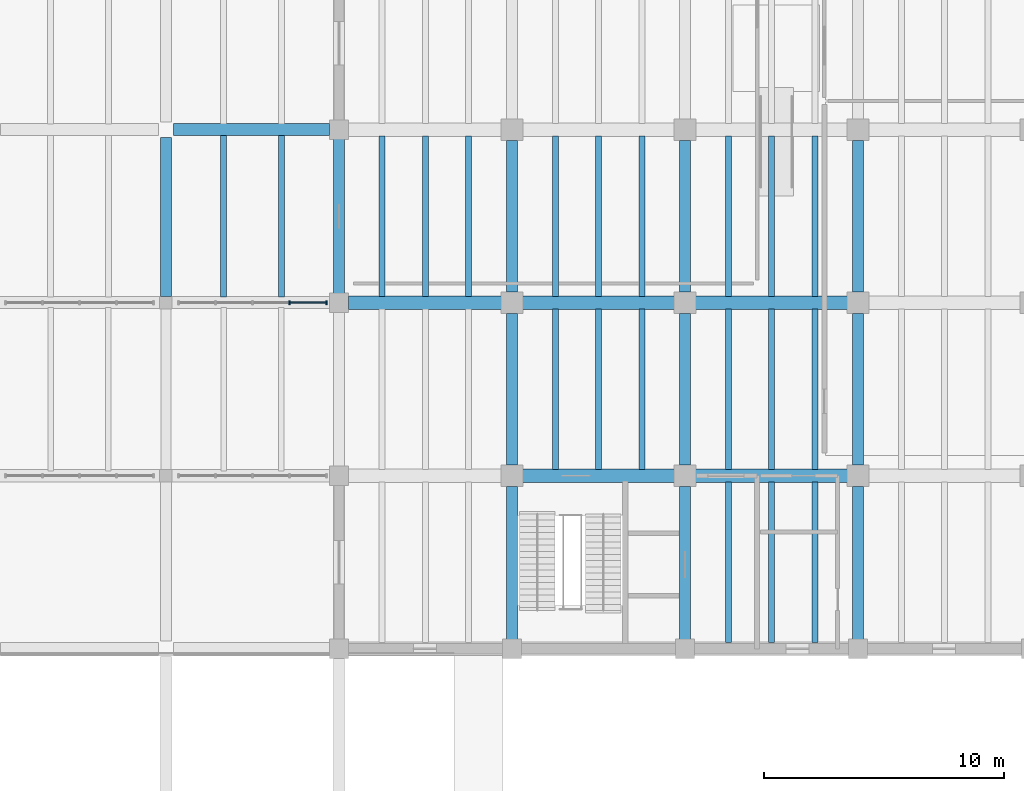
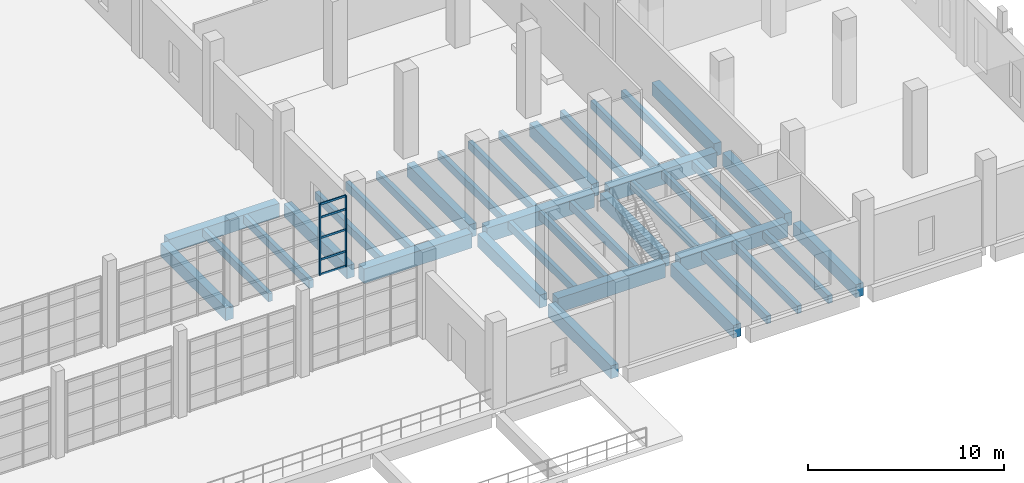
# One storey, part 43 of 79: 37 beams, 7 members, 1 element without a shape of its own.
"""IFC4 building model written with IfcOpenShell, lengths in metres."""

from ifc_helpers import new_model, si_unit, direction, frame, origin, origin_2d, place, context, subcontext, project, spatial, rectangle, extrude, material, material_profile, profile_set, type_object, element, aggregate, save


model = new_model("IFC4")

# Units and contexts
model_context = context("Model", 3, precision=1e-05, world=origin(), true_north=direction((0.0, 1.0)))
body_context = subcontext(model_context, "Body", "Model", "MODEL_VIEW")
ifc_project = project(units=[si_unit("LENGTHUNIT", "METRE"), si_unit("AREAUNIT", "SQUARE_METRE"), si_unit("VOLUMEUNIT", "CUBIC_METRE"), si_unit("PLANEANGLEUNIT", "RADIAN"), si_unit("MASSUNIT", "GRAM", prefix="KILO")], contexts=[model_context])

# Site, building, storey
site_placement = place(None, origin())
site = spatial("IfcSite", under=ifc_project, at=site_placement, CompositionType="ELEMENT")
building_placement = place(site_placement, origin())
building = spatial("IfcBuilding", under=site, at=building_placement, Name="Qiaolan Assembly House", CompositionType="ELEMENT")
storey_placement = place(building_placement, origin())
storey = spatial("IfcBuildingStorey", under=building, at=storey_placement, Name="L00", CompositionType="ELEMENT", Elevation=0.0)

# Beams
ifc_material_1 = material(Name="Concrete C40/50", Category="concrete")
ifc_material_profile_1 = material_profile(ifc_material_1, rectangle(XDim=0.449951171875, YDim=0.800048828125, at=origin_2d()), Name="RCB 450x800")
ifc_profile_set_1 = profile_set([ifc_material_profile_1], Name="Concrete C40/50")
beam_type_1 = type_object("IfcBeamType", Name="BM-RC-450x800", PredefinedType="BEAM", material=ifc_profile_set_1)
beam_1_placement = place(storey_placement, frame((129.60009765625, 43.449951171875, -0.739990234375), z_axis=(0.0, 1.0, 0.0), x_axis=(-1.0, 0.0, 0.0)))
element("IfcBeam", 1, at=beam_1_placement, inside=storey, type_object=beam_type_1, Name="GB-03 beam BMY-CLCRT-L00-03-00", PredefinedType="BEAM", context=body_context, shape_type="SweptSolid", body=[
    extrude(rectangle(XDim=0.449951171875, YDim=0.800048828125, at=origin_2d()), origin(), (0.0, 0.0, 1.0), 6.635009765625),
])
beam_2_placement = place(storey_placement, frame((136.800048828125, 43.590087890625, -0.739990234375), z_axis=(0.0, 1.0, 0.0), x_axis=(-1.0, 0.0, 0.0)))
element("IfcBeam", 2, at=beam_2_placement, inside=storey, type_object=beam_type_1, Name="GB-03 beam BMY-CLCRT-L00-04-00", PredefinedType="BEAM", context=body_context, shape_type="SweptSolid", body=[
    extrude(rectangle(XDim=0.449951171875, YDim=0.800048828125, at=origin_2d()), origin(), (0.0, 0.0, 1.0), 6.419921875),
])
beam_3_placement = place(storey_placement, frame((144.0, 29.18994140625, -0.739990234375), z_axis=(0.0, 1.0, 0.0), x_axis=(-1.0, 0.0, 0.0)))
element("IfcBeam", 3, at=beam_3_placement, inside=storey, type_object=beam_type_1, Name="GB-03 beam BMY-LB-L00-01-00", PredefinedType="BEAM", context=body_context, shape_type="SweptSolid", body=[
    extrude(rectangle(XDim=0.449951171875, YDim=0.800048828125, at=origin_2d()), origin(), (0.0, 0.0, 1.0), 6.3701171875),
])
for number, where, z_axis, x_axis, name in (
    (4, (144.0, 36.43994140625, -0.739990234375), (0.0, 1.0, 0.0), (-1.0, 0.0, 0.0), "GB-03 beam BMY-LB-L00-01-01"),
    (5, (144.0, 43.639892578125, -0.739990234375), (0.0, 1.0, 0.0), (-1.0, 0.0, 0.0), "GB-03 beam BMY-LB-L00-01-02"),
):
    element("IfcBeam", number, at=place(storey_placement, frame(where, z_axis=z_axis, x_axis=x_axis)), inside=storey, type_object=beam_type_1, Name=name, PredefinedType="BEAM", context=body_context, shape_type="SweptSolid", body=[
        extrude(rectangle(XDim=0.449951171875, YDim=0.800048828125, at=origin_2d()), origin(), (0.0, 0.0, 1.0), 6.320068359375),
    ])
beam_4_placement = place(storey_placement, frame((151.199951171875, 29.18994140625, -0.739990234375), z_axis=(0.0, 1.0, 0.0), x_axis=(-1.0, 0.0, 0.0)))
element("IfcBeam", 6, at=beam_4_placement, inside=storey, type_object=beam_type_1, Name="GB-03 beam BMY-LB-L00-02-00", PredefinedType="BEAM", context=body_context, shape_type="SweptSolid", body=[
    extrude(rectangle(XDim=0.449951171875, YDim=0.800048828125, at=origin_2d()), origin(), (0.0, 0.0, 1.0), 6.3701171875),
])
for number, where, z_axis, x_axis, name in (
    (7, (151.199951171875, 36.43994140625, -0.739990234375), (0.0, 1.0, 0.0), (-1.0, 0.0, 0.0), "GB-03 beam BMY-LB-L00-02-01"),
    (8, (151.199951171875, 43.639892578125, -0.739990234375), (0.0, 1.0, 0.0), (-1.0, 0.0, 0.0), "GB-03 beam BMY-LB-L00-02-02"),
):
    element("IfcBeam", number, at=place(storey_placement, frame(where, z_axis=z_axis, x_axis=x_axis)), inside=storey, type_object=beam_type_1, Name=name, PredefinedType="BEAM", context=body_context, shape_type="SweptSolid", body=[
        extrude(rectangle(XDim=0.449951171875, YDim=0.800048828125, at=origin_2d()), origin(), (0.0, 0.0, 1.0), 6.320068359375),
    ])
beam_5_placement = place(storey_placement, frame((158.39990234375, 29.18994140625, -0.739990234375), z_axis=(0.0, 1.0, 0.0), x_axis=(-1.0, 0.0, 0.0)))
element("IfcBeam", 9, at=beam_5_placement, inside=storey, type_object=beam_type_1, Name="GB-03 beam BMY-LB-L00-03-00", PredefinedType="BEAM", context=body_context, shape_type="SweptSolid", body=[
    extrude(rectangle(XDim=0.449951171875, YDim=0.800048828125, at=origin_2d()), origin(), (0.0, 0.0, 1.0), 6.3701171875),
])
for number, where, z_axis, x_axis, name in (
    (10, (158.39990234375, 36.43994140625, -0.739990234375), (0.0, 1.0, 0.0), (-1.0, 0.0, 0.0), "GB-03 beam BMY-LB-L00-03-01"),
    (11, (158.39990234375, 43.639892578125, -0.739990234375), (0.0, 1.0, 0.0), (-1.0, 0.0, 0.0), "GB-03 beam BMY-LB-L00-03-02"),
):
    element("IfcBeam", number, at=place(storey_placement, frame(where, z_axis=z_axis, x_axis=x_axis)), inside=storey, type_object=beam_type_1, Name=name, PredefinedType="BEAM", context=body_context, shape_type="SweptSolid", body=[
        extrude(rectangle(XDim=0.449951171875, YDim=0.800048828125, at=origin_2d()), origin(), (0.0, 0.0, 1.0), 6.320068359375),
    ])
ifc_material_2 = material(Name="Concrete C45/55", Category="concrete")
ifc_material_profile_2 = material_profile(ifc_material_2, rectangle(XDim=0.5, YDim=0.85009765625, at=origin_2d()), Name="RCB 500x850")
ifc_profile_set_2 = profile_set([ifc_material_profile_2], Name="Concrete C45/55")
beam_type_2 = type_object("IfcBeamType", Name="BM-RC-500x850", PredefinedType="BEAM", material=ifc_profile_set_2)
beam_6_placement = place(storey_placement, frame((129.9150390625, 50.39990234375, -0.764892578125), z_axis=(1.0, 0.0, 0.0), x_axis=(0.0, 1.0, 0.0)))
element("IfcBeam", 12, at=beam_6_placement, inside=storey, type_object=beam_type_2, Name="GB-02 beam BMX-CLCRT-L00-03-01", PredefinedType="BEAM", context=body_context, shape_type="SweptSolid", body=[
    extrude(rectangle(XDim=0.5, YDim=0.85009765625, at=origin_2d()), origin(), (0.0, 0.0, 1.0), 6.494873046875),
])
ifc_material_profile_3 = material_profile(ifc_material_2, rectangle(XDim=0.550048828125, YDim=0.89990234375, at=origin_2d()), Name="RCB 550x900")
ifc_profile_set_3 = profile_set([ifc_material_profile_3], Name="Concrete C45/55")
beam_type_3 = type_object("IfcBeamType", Name="BM-RC-550x900", PredefinedType="BEAM", material=ifc_profile_set_3)
for number, where, z_axis, x_axis, name in (
    (13, (144.43994140625, 36.0, -0.7900390625), (1.0, 0.0, 0.0), (0.0, 1.0, 0.0), "GB-01 beam BMX-LB-L00-01-01"),
    (14, (151.639892578125, 36.0, -0.7900390625), (1.0, 0.0, 0.0), (0.0, 1.0, 0.0), "GB-01 beam BMX-LB-L00-02-01"),
):
    element("IfcBeam", number, at=place(storey_placement, frame(where, z_axis=z_axis, x_axis=x_axis)), inside=storey, type_object=beam_type_3, Name=name, PredefinedType="BEAM", context=body_context, shape_type="SweptSolid", body=[
        extrude(rectangle(XDim=0.550048828125, YDim=0.89990234375, at=origin_2d()), origin(), (0.0, 0.0, 1.0), 6.320068359375),
    ])
beam_7_placement = place(storey_placement, frame((137.18994140625, 43.199951171875, -0.7900390625), z_axis=(1.0, 0.0, 0.0), x_axis=(0.0, 1.0, 0.0)))
element("IfcBeam", 15, at=beam_7_placement, inside=storey, type_object=beam_type_3, Name="GB-01 beam BMX-LB-L00-00-02", PredefinedType="BEAM", context=body_context, shape_type="SweptSolid", body=[
    extrude(rectangle(XDim=0.550048828125, YDim=0.89990234375, at=origin_2d()), origin(), (0.0, 0.0, 1.0), 6.3701171875),
])
for number, where, z_axis, x_axis, name in (
    (16, (144.43994140625, 43.199951171875, -0.7900390625), (1.0, 0.0, 0.0), (0.0, 1.0, 0.0), "GB-01 beam BMX-LB-L00-01-02"),
    (17, (151.639892578125, 43.199951171875, -0.7900390625), (1.0, 0.0, 0.0), (0.0, 1.0, 0.0), "GB-01 beam BMX-LB-L00-02-02"),
):
    element("IfcBeam", number, at=place(storey_placement, frame(where, z_axis=z_axis, x_axis=x_axis)), inside=storey, type_object=beam_type_3, Name=name, PredefinedType="BEAM", context=body_context, shape_type="SweptSolid", body=[
        extrude(rectangle(XDim=0.550048828125, YDim=0.89990234375, at=origin_2d()), origin(), (0.0, 0.0, 1.0), 6.320068359375),
    ])

# Curtain wall, members
ifc_material_3 = material(Name="Anodised bronze aluminium", Category="aluminium")
curtain_wall_type = type_object("IfcCurtainWallType", Name="CW-CLOISTER-420", PredefinedType="NOTDEFINED", material=ifc_material_3)
curtain_wall_placement = place(storey_placement, origin())
curtain_wall = element("IfcCurtainWall", 18, at=curtain_wall_placement, inside=storey, type_object=curtain_wall_type, Name="CW-05 South Cloister court arcade L00-4", PredefinedType="NOTDEFINED")
ifc_material_profile_4 = material_profile(ifc_material_3, rectangle(XDim=0.070068359375, YDim=0.155029296875, at=origin_2d()), Name="MUL 70x155")
ifc_profile_set_4 = profile_set([ifc_material_profile_4], Name="Anodised bronze aluminium")
member_type_1 = type_object("IfcMemberType", Name="CW-CLOISTER-420-MUL", PredefinedType="MULLION", material=ifc_profile_set_4)
member_1_placement = place(storey_placement, frame((136.280029296875, 43.199951171875, 0.0), z_axis=(0.0, 0.0, 1.0), x_axis=(-1.0, 0.0, 0.0)))
member_1 = element("IfcMember", 19, at=member_1_placement, type_object=member_type_1, Name="ML-06 mullion CW-CLS-CRT-L00-3-1", PredefinedType="MULLION", context=body_context, shape_type="SweptSolid", body=[
    extrude(rectangle(XDim=0.070068359375, YDim=0.155029296875, at=origin_2d()), origin(), (0.0, 0.0, 1.0), 4.419921875),
])
member_2_placement = place(storey_placement, frame((134.739990234375, 43.199951171875, 0.0), z_axis=(0.0, 0.0, 1.0), x_axis=(-1.0, 0.0, 0.0)))
member_2 = element("IfcMember", 20, at=member_2_placement, type_object=member_type_1, Name="ML-06 mullion CW-CLS-CRT-L00-3-2", PredefinedType="MULLION", context=body_context, shape_type="SweptSolid", body=[
    extrude(rectangle(XDim=0.070068359375, YDim=0.155029296875, at=origin_2d()), origin(), (0.0, 0.0, 1.0), 4.419921875),
])
ifc_material_profile_5 = material_profile(ifc_material_3, rectangle(XDim=0.06201171875, YDim=0.125, at=origin_2d()), Name="TRN 62x125")
ifc_profile_set_5 = profile_set([ifc_material_profile_5], Name="Anodised bronze aluminium")
member_type_2 = type_object("IfcMemberType", Name="CW-CLOISTER-420-TRN", PredefinedType="USERDEFINED", material=ifc_profile_set_5)
member_3_placement = place(storey_placement, frame((136.2451171875, 43.199951171875, 0.030029296875), z_axis=(-1.0, 0.0, 0.0), x_axis=(0.0, -1.0, 0.0)))
member_3 = element("IfcMember", 21, at=member_3_placement, type_object=member_type_2, Name="TR-06 transom CW-CLS-CRT-L00-3-1-1", ObjectType="TRANSOM", PredefinedType="USERDEFINED", context=body_context, shape_type="SweptSolid", body=[
    extrude(rectangle(XDim=0.06201171875, YDim=0.125, at=origin_2d()), origin(), (0.0, 0.0, 1.0), 1.47021484375),
])
member_4_placement = place(storey_placement, frame((136.2451171875, 43.199951171875, 0.949951171875), z_axis=(-1.0, 0.0, 0.0), x_axis=(0.0, -1.0, 0.0)))
member_4 = element("IfcMember", 22, at=member_4_placement, type_object=member_type_2, Name="TR-06 transom CW-CLS-CRT-L00-3-1-2", ObjectType="TRANSOM", PredefinedType="USERDEFINED", context=body_context, shape_type="SweptSolid", body=[
    extrude(rectangle(XDim=0.06201171875, YDim=0.125, at=origin_2d()), origin(), (0.0, 0.0, 1.0), 1.47021484375),
])
member_5_placement = place(storey_placement, frame((136.2451171875, 43.199951171875, 2.29833984375), z_axis=(-1.0, 0.0, 0.0), x_axis=(0.0, -1.0, 0.0)))
member_5 = element("IfcMember", 23, at=member_5_placement, type_object=member_type_2, Name="TR-06 transom CW-CLS-CRT-L00-3-1-3", ObjectType="TRANSOM", PredefinedType="USERDEFINED", context=body_context, shape_type="SweptSolid", body=[
    extrude(rectangle(XDim=0.06201171875, YDim=0.125, at=origin_2d()), origin(), (0.0, 0.0, 1.0), 1.47021484375),
])
member_6_placement = place(storey_placement, frame((136.2451171875, 43.199951171875, 3.570068359375), z_axis=(-1.0, 0.0, 0.0), x_axis=(0.0, -1.0, 0.0)))
member_6 = element("IfcMember", 24, at=member_6_placement, type_object=member_type_2, Name="TR-06 transom CW-CLS-CRT-L00-3-1-4", ObjectType="TRANSOM", PredefinedType="USERDEFINED", context=body_context, shape_type="SweptSolid", body=[
    extrude(rectangle(XDim=0.06201171875, YDim=0.125, at=origin_2d()), origin(), (0.0, 0.0, 1.0), 1.47021484375),
])
member_7_placement = place(storey_placement, frame((136.2451171875, 43.199951171875, 4.389892578125), z_axis=(-1.0, 0.0, 0.0), x_axis=(0.0, -1.0, 0.0)))
member_7 = element("IfcMember", 25, at=member_7_placement, type_object=member_type_2, Name="TR-06 transom CW-CLS-CRT-L00-3-1-5", ObjectType="TRANSOM", PredefinedType="USERDEFINED", context=body_context, shape_type="SweptSolid", body=[
    extrude(rectangle(XDim=0.06201171875, YDim=0.125, at=origin_2d()), origin(), (0.0, 0.0, 1.0), 1.47021484375),
])
aggregate(curtain_wall, [member_1, member_2, member_3, member_4, member_5, member_6, member_7])

# Beams
ifc_material_profile_6 = material_profile(ifc_material_1, rectangle(XDim=0.25, YDim=0.5, at=origin_2d()), Name="RCB 250x500")
ifc_profile_set_6 = profile_set([ifc_material_profile_6], Name="Concrete C40/50")
beam_type_4 = type_object("IfcBeamType", Name="JST-RC-250x500", PredefinedType="JOIST", material=ifc_profile_set_6)
for number, where, z_axis, x_axis, name in (
    (26, (132.0, 43.444091796875, -0.590087890625), (0.0, 1.0, 0.0), (-1.0, 0.0, 0.0), "RJ-01 beam JST-CLCRT-L00-03-00-1"),
    (27, (134.39990234375, 43.444091796875, -0.590087890625), (0.0, 1.0, 0.0), (-1.0, 0.0, 0.0), "RJ-01 beam JST-CLCRT-L00-03-00-2"),
):
    element("IfcBeam", number, at=place(storey_placement, frame(where, z_axis=z_axis, x_axis=x_axis)), inside=storey, type_object=beam_type_4, Name=name, PredefinedType="JOIST", context=body_context, shape_type="SweptSolid", body=[
        extrude(rectangle(XDim=0.25, YDim=0.5, at=origin_2d()), origin(), (0.0, 0.0, 1.0), 6.7119140625),
    ])
for number, where, z_axis, x_axis, name in (
    (28, (138.60009765625, 43.468994140625, -0.590087890625), (0.0, 1.0, 0.0), (-1.0, 0.0, 0.0), "RJ-01 beam JST-LB-L00-00-02-1"),
    (29, (140.39990234375, 43.468994140625, -0.590087890625), (0.0, 1.0, 0.0), (-1.0, 0.0, 0.0), "RJ-01 beam JST-LB-L00-00-02-2"),
    (30, (142.199951171875, 43.468994140625, -0.590087890625), (0.0, 1.0, 0.0), (-1.0, 0.0, 0.0), "RJ-01 beam JST-LB-L00-00-02-3"),
):
    element("IfcBeam", number, at=place(storey_placement, frame(where, z_axis=z_axis, x_axis=x_axis)), inside=storey, type_object=beam_type_4, Name=name, PredefinedType="JOIST", context=body_context, shape_type="SweptSolid", body=[
        extrude(rectangle(XDim=0.25, YDim=0.5, at=origin_2d()), origin(), (0.0, 0.0, 1.0), 6.662109375),
    ])
for number, where, z_axis, x_axis, name in (
    (31, (145.800048828125, 36.26904296875, -0.590087890625), (0.0, 1.0, 0.0), (-1.0, 0.0, 0.0), "RJ-01 beam JST-LB-L00-01-01-1"),
    (32, (147.60009765625, 36.26904296875, -0.590087890625), (0.0, 1.0, 0.0), (-1.0, 0.0, 0.0), "RJ-01 beam JST-LB-L00-01-01-2"),
    (33, (149.39990234375, 36.26904296875, -0.590087890625), (0.0, 1.0, 0.0), (-1.0, 0.0, 0.0), "RJ-01 beam JST-LB-L00-01-01-3"),
):
    element("IfcBeam", number, at=place(storey_placement, frame(where, z_axis=z_axis, x_axis=x_axis)), inside=storey, type_object=beam_type_4, Name=name, PredefinedType="JOIST", context=body_context, shape_type="SweptSolid", body=[
        extrude(rectangle(XDim=0.25, YDim=0.5, at=origin_2d()), origin(), (0.0, 0.0, 1.0), 6.661865234375),
    ])
for number, where, z_axis, x_axis, name in (
    (34, (145.800048828125, 43.468994140625, -0.590087890625), (0.0, 1.0, 0.0), (-1.0, 0.0, 0.0), "RJ-01 beam JST-LB-L00-01-02-1"),
    (35, (147.60009765625, 43.468994140625, -0.590087890625), (0.0, 1.0, 0.0), (-1.0, 0.0, 0.0), "RJ-01 beam JST-LB-L00-01-02-2"),
    (36, (149.39990234375, 43.468994140625, -0.590087890625), (0.0, 1.0, 0.0), (-1.0, 0.0, 0.0), "RJ-01 beam JST-LB-L00-01-02-3"),
):
    element("IfcBeam", number, at=place(storey_placement, frame(where, z_axis=z_axis, x_axis=x_axis)), inside=storey, type_object=beam_type_4, Name=name, PredefinedType="JOIST", context=body_context, shape_type="SweptSolid", body=[
        extrude(rectangle(XDim=0.25, YDim=0.5, at=origin_2d()), origin(), (0.0, 0.0, 1.0), 6.662109375),
    ])
for number, where, z_axis, x_axis, name in (
    (37, (153.0, 29.069091796875, -0.590087890625), (0.0, 1.0, 0.0), (-1.0, 0.0, 0.0), "RJ-01 beam JST-LB-L00-02-00-1"),
    (38, (154.800048828125, 29.069091796875, -0.590087890625), (0.0, 1.0, 0.0), (-1.0, 0.0, 0.0), "RJ-01 beam JST-LB-L00-02-00-2"),
    (39, (156.60009765625, 29.069091796875, -0.590087890625), (0.0, 1.0, 0.0), (-1.0, 0.0, 0.0), "RJ-01 beam JST-LB-L00-02-00-3"),
    (40, (153.0, 36.26904296875, -0.590087890625), (0.0, 1.0, 0.0), (-1.0, 0.0, 0.0), "RJ-01 beam JST-LB-L00-02-01-1"),
    (41, (154.800048828125, 36.26904296875, -0.590087890625), (0.0, 1.0, 0.0), (-1.0, 0.0, 0.0), "RJ-01 beam JST-LB-L00-02-01-2"),
    (42, (156.60009765625, 36.26904296875, -0.590087890625), (0.0, 1.0, 0.0), (-1.0, 0.0, 0.0), "RJ-01 beam JST-LB-L00-02-01-3"),
):
    element("IfcBeam", number, at=place(storey_placement, frame(where, z_axis=z_axis, x_axis=x_axis)), inside=storey, type_object=beam_type_4, Name=name, PredefinedType="JOIST", context=body_context, shape_type="SweptSolid", body=[
        extrude(rectangle(XDim=0.25, YDim=0.5, at=origin_2d()), origin(), (0.0, 0.0, 1.0), 6.661865234375),
    ])
for number, where, z_axis, x_axis, name in (
    (43, (153.0, 43.468994140625, -0.590087890625), (0.0, 1.0, 0.0), (-1.0, 0.0, 0.0), "RJ-01 beam JST-LB-L00-02-02-1"),
    (44, (154.800048828125, 43.468994140625, -0.590087890625), (0.0, 1.0, 0.0), (-1.0, 0.0, 0.0), "RJ-01 beam JST-LB-L00-02-02-2"),
    (45, (156.60009765625, 43.468994140625, -0.590087890625), (0.0, 1.0, 0.0), (-1.0, 0.0, 0.0), "RJ-01 beam JST-LB-L00-02-02-3"),
):
    element("IfcBeam", number, at=place(storey_placement, frame(where, z_axis=z_axis, x_axis=x_axis)), inside=storey, type_object=beam_type_4, Name=name, PredefinedType="JOIST", context=body_context, shape_type="SweptSolid", body=[
        extrude(rectangle(XDim=0.25, YDim=0.5, at=origin_2d()), origin(), (0.0, 0.0, 1.0), 6.662109375),
    ])

save(model, "model.ifc")
